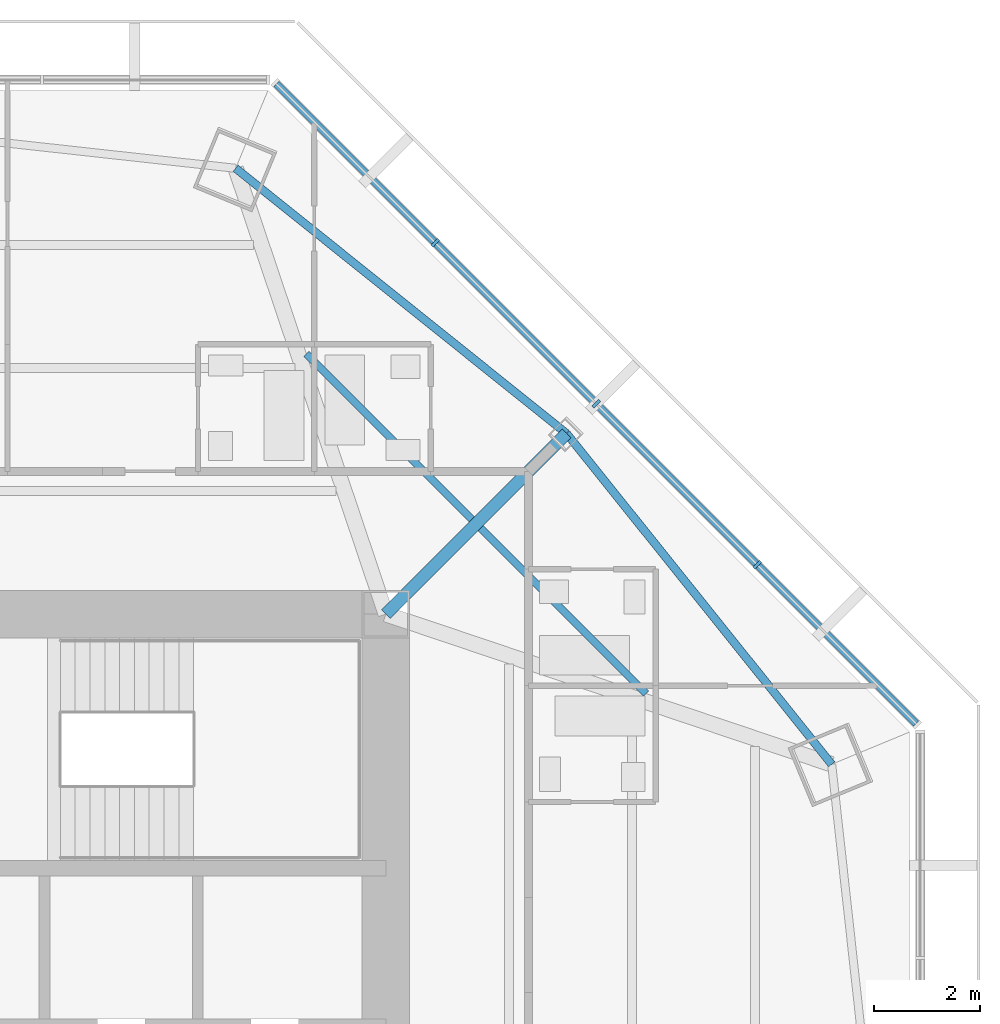
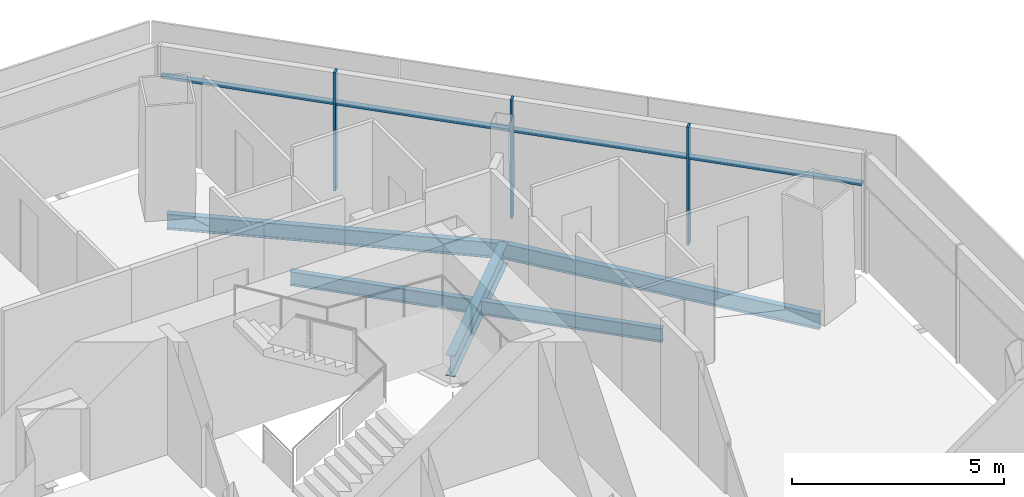
# One storey, part 6 of 14: 7 members, 5 beams, 1 element without a shape of its own.
"""IFC4 building model written with IfcOpenShell, lengths in metres."""

from ifc_helpers import new_model, si_unit, direction, frame, origin, origin_2d, place, context, subcontext, project, spatial, rectangle, i_section, extrude, source, transform, mapped, material, material_profile, profile_set, type_object, type_shapes, element, aggregate, save


model = new_model("IFC4")

# Units and contexts
model_context = context("Model", 3, precision=1e-05, world=origin(), true_north=direction((0.0, 1.0)))
body_context = subcontext(model_context, "Body", "Model", "MODEL_VIEW")
ifc_project = project(units=[si_unit("LENGTHUNIT", "METRE"), si_unit("AREAUNIT", "SQUARE_METRE"), si_unit("VOLUMEUNIT", "CUBIC_METRE"), si_unit("PLANEANGLEUNIT", "RADIAN"), si_unit("MASSUNIT", "GRAM", prefix="KILO")], contexts=[model_context])

# Site, building, storey
site_placement = place(None, origin())
site = spatial("IfcSite", under=ifc_project, at=site_placement, CompositionType="ELEMENT")
building_placement = place(site_placement, origin())
building = spatial("IfcBuilding", under=site, at=building_placement, Name="Mashrafa Tower", CompositionType="ELEMENT")
storey_placement = place(building_placement, frame((0.0, 0.0, 251.60009765625)))
storey = spatial("IfcBuildingStorey", under=building, at=storey_placement, Name="L60", CompositionType="ELEMENT", Elevation=251.60009765625)

# Beams
ifc_material_1 = material(Name="Steel ASTM A992", Category="steel")
ifc_material_profile_1 = material_profile(ifc_material_1, i_section(OverallWidth=0.140380859375, OverallDepth=0.40380859375, WebThickness=0.007080078125, FlangeThickness=0.01123046875, FilletRadius=0.01025390625, at=origin_2d()), Name="W16X31")
ifc_profile_set_1 = profile_set([ifc_material_profile_1], Name="Steel ASTM A992")
beam_type_1 = type_object("IfcBeamType", Name="Beam W16X31", PredefinedType="BEAM", material=ifc_profile_set_1)
for number, where, z_axis, x_axis, name in (
    (1, (9.298583984375, 15.71630859375, -0.402099609375), (0.707134372906, -0.707079188391, 0.0), (0.707079188391, 0.707134372906, 0.0), "Floor beam L60 021"),
    (2, (12.588134765625, 12.427001953125, -0.402099609375), (0.707079188391, -0.707134372906, 0.0), (0.707134372906, 0.707079188391, 0.0), "Floor beam L60 025"),
):
    element("IfcBeam", number, at=place(storey_placement, frame(where, z_axis=z_axis, x_axis=x_axis)), inside=storey, type_object=beam_type_1, Name=name, PredefinedType="BEAM", context=body_context, shape_type="SweptSolid", body=[
        extrude(i_section(OverallWidth=0.140380859375, OverallDepth=0.40380859375, WebThickness=0.007080078125, FlangeThickness=0.01123046875, FilletRadius=0.01025390625, at=origin_2d()), origin(), (0.0, 0.0, 1.0), 4.424072265625),
    ])
ifc_material_2 = material(Name="Steel ASTM A992", Category="steel")
ifc_material_profile_2 = material_profile(ifc_material_2, i_section(OverallWidth=0.15234375, OverallDepth=0.449462890625, WebThickness=0.007568359375, FlangeThickness=0.0107421875, FilletRadius=0.01025390625, at=origin_2d()), Name="W18X35")
ifc_profile_set_2 = profile_set([ifc_material_profile_2], Name="Steel ASTM A992")
beam_type_2 = type_object("IfcBeamType", Name="Beam W18X35", PredefinedType="BEAM", material=ifc_profile_set_2)
for number, where, z_axis, x_axis, name in (
    (3, (14.21484375, 14.21484375, -0.4248046875), (-0.780342302091, 0.625352613785, 0.0), (-0.625352613785, -0.780342302091, 0.0), "Spandrel beam L60 061"),
    (4, (19.224853515625, 7.963134765625, -0.4248046875), (-0.625352613785, 0.780342302091, 0.0), (-0.780342302091, -0.625352613785, 0.0), "Spandrel beam L60 063"),
):
    element("IfcBeam", number, at=place(storey_placement, frame(where, z_axis=z_axis, x_axis=x_axis)), inside=storey, type_object=beam_type_2, Name=name, PredefinedType="BEAM", context=body_context, shape_type="SweptSolid", body=[
        extrude(i_section(OverallWidth=0.15234375, OverallDepth=0.449462890625, WebThickness=0.007568359375, FlangeThickness=0.0107421875, FilletRadius=0.01025390625, at=origin_2d()), origin(), (0.0, 0.0, 1.0), 8.011474609375),
    ])
ifc_material_3 = material(Name="Steel ASTM A992", Category="steel")
ifc_material_profile_3 = material_profile(ifc_material_3, i_section(OverallWidth=0.227783203125, OverallDepth=0.60205078125, WebThickness=0.010498046875, FlangeThickness=0.014892578125, FilletRadius=0.012939453125, at=origin_2d()), Name="W24X68")
ifc_profile_set_3 = profile_set([ifc_material_profile_3], Name="Steel ASTM A992")
beam_type_3 = type_object("IfcBeamType", Name="Beam W24X68", PredefinedType="BEAM", material=ifc_profile_set_3)
beam_placement = place(storey_placement, frame((10.800048828125, 10.800048828125, -0.5009765625), z_axis=(0.707106781187, 0.707106781187, 0.0), x_axis=(-0.707106781187, 0.707106781187, 0.0)))
element("IfcBeam", 5, at=beam_placement, inside=storey, type_object=beam_type_3, Name="Radial girder L60 047", PredefinedType="BEAM", context=body_context, shape_type="SweptSolid", body=[
    extrude(i_section(OverallWidth=0.227783203125, OverallDepth=0.60205078125, WebThickness=0.010498046875, FlangeThickness=0.014892578125, FilletRadius=0.012939453125, at=origin_2d()), origin(), (0.0, 0.0, 1.0), 4.829345703125),
])

# Curtain wall, members
ifc_material_4 = material(Name="Unitised aluminium curtain wall", Category="aluminium")
curtain_wall_type = type_object("IfcCurtainWallType", Name="Apartment curtain wall, zone 3 CW-C 180 deep", PredefinedType="NOTDEFINED", material=ifc_material_4)
curtain_wall_placement = place(storey_placement, origin())
curtain_wall = element("IfcCurtainWall", 6, at=curtain_wall_placement, inside=storey, type_object=curtain_wall_type, Name="Apartment curtain wall, zone 3 L60 north-east", PredefinedType="NOTDEFINED")
ifc_material_5 = material(Name="Extruded aluminium mullion", Category="aluminium")
ifc_material_profile_4 = material_profile(ifc_material_5, rectangle(XDim=0.179931640625, YDim=0.06005859375, at=origin_2d()), Name="Mullion 60x180")
ifc_profile_set_4 = profile_set([ifc_material_profile_4], Name="Extruded aluminium mullion")
member_type_1 = type_object("IfcMemberType", Name="Mullion CW-C 60 x 180", PredefinedType="MULLION", material=ifc_profile_set_4)
shared_shape_1 = source(origin(), body_context, "Body", "SweptSolid", [
    extrude(rectangle(XDim=0.179931640625, YDim=0.06005859375, at=origin_2d()), origin(), (0.0, 0.0, 1.0), 3.39990234375),
])
type_shapes(member_type_1, [shared_shape_1])
member_1_placement = place(storey_placement, frame((17.8203125, 11.73291015625, 0.0), z_axis=(0.0, 0.0, 1.0), x_axis=(-0.707106781187, -0.707106781187, 0.0)))
member_1 = element("IfcMember", 7, at=member_1_placement, type_object=member_type_1, Name="CW-C mullion 2", PredefinedType="MULLION", context=body_context, shape_type="MappedRepresentation", body=[
    mapped(shared_shape_1, transform((0.0, 0.0, 0.0))),
])
member_2_placement = place(storey_placement, frame((14.776611328125, 14.776611328125, 0.0), z_axis=(0.0, 0.0, 1.0), x_axis=(-0.707106781187, -0.707106781187, 0.0)))
member_2 = element("IfcMember", 8, at=member_2_placement, type_object=member_type_1, Name="CW-C mullion 3", PredefinedType="MULLION", context=body_context, shape_type="MappedRepresentation", body=[
    mapped(shared_shape_1, transform((0.0, 0.0, 0.0))),
])
member_3_placement = place(storey_placement, frame((11.73291015625, 17.8203125, 0.0), z_axis=(0.0, 0.0, 1.0), x_axis=(-0.707106781187, -0.707106781187, 0.0)))
member_3 = element("IfcMember", 9, at=member_3_placement, type_object=member_type_1, Name="CW-C mullion 4", PredefinedType="MULLION", context=body_context, shape_type="MappedRepresentation", body=[
    mapped(shared_shape_1, transform((0.0, 0.0, 0.0))),
])
ifc_material_6 = material(Name="Extruded aluminium transom", Category="aluminium")
ifc_material_profile_5 = material_profile(ifc_material_6, rectangle(XDim=0.14404296875, YDim=0.074951171875, at=origin_2d()), Name="Transom 75x144")
ifc_profile_set_5 = profile_set([ifc_material_profile_5], Name="Extruded aluminium transom")
member_type_2 = type_object("IfcMemberType", Name="Transom CW-C 75 x 144", PredefinedType="MULLION", material=ifc_profile_set_5)
shared_shape_2 = source(origin(), body_context, "Body", "SweptSolid", [
    extrude(rectangle(XDim=0.14404296875, YDim=0.074951171875, at=origin_2d()), origin(), (0.0, 0.0, 1.0), 4.244384765625),
])
member_4_placement = place(storey_placement, frame((17.799072265625, 11.754150390625, 2.5), z_axis=(-0.707106781187, 0.707106781187, 0.0), x_axis=(-0.707106781187, -0.707106781187, 0.0)))
member_4 = element("IfcMember", 10, at=member_4_placement, type_object=member_type_2, Name="CW-C transom 2", PredefinedType="MULLION", context=body_context, shape_type="MappedRepresentation", body=[
    mapped(shared_shape_2, transform((0.0, 0.0, 0.0))),
])
member_5_placement = place(storey_placement, frame((14.75537109375, 14.7978515625, 2.5), z_axis=(-0.707106781187, 0.707106781187, 0.0), x_axis=(-0.707106781187, -0.707106781187, 0.0)))
member_5 = element("IfcMember", 11, at=member_5_placement, type_object=member_type_2, Name="CW-C transom 3", PredefinedType="MULLION", context=body_context, shape_type="MappedRepresentation", body=[
    mapped(shared_shape_2, transform((0.0, 0.0, 0.0))),
])
shared_shape_3 = source(origin(), body_context, "Body", "SweptSolid", [
    extrude(rectangle(XDim=0.14404296875, YDim=0.074951171875, at=origin_2d()), origin(), (0.0, 0.0, 1.0), 4.214599609375),
])
type_shapes(member_type_2, [shared_shape_2, shared_shape_3])
member_6_placement = place(storey_placement, frame((20.821533203125, 8.731689453125, 2.5), z_axis=(-0.707077816239, 0.707135744948, 0.0), x_axis=(-0.707135744948, -0.707077816239, 0.0)))
member_6 = element("IfcMember", 12, at=member_6_placement, type_object=member_type_2, Name="CW-C transom 1", PredefinedType="MULLION", context=body_context, shape_type="MappedRepresentation", body=[
    mapped(shared_shape_3, transform((0.0, 0.0, 0.0))),
])
member_7_placement = place(storey_placement, frame((11.7119140625, 17.841552734375, 2.5), z_axis=(-0.707135744948, 0.707077816239, 0.0), x_axis=(-0.707077816239, -0.707135744948, 0.0)))
member_7 = element("IfcMember", 13, at=member_7_placement, type_object=member_type_2, Name="CW-C transom 4", PredefinedType="MULLION", context=body_context, shape_type="MappedRepresentation", body=[
    mapped(shared_shape_3, transform((0.0, 0.0, 0.0))),
])
aggregate(curtain_wall, [member_1, member_2, member_3, member_6, member_4, member_5, member_7])

save(model, "model.ifc")
